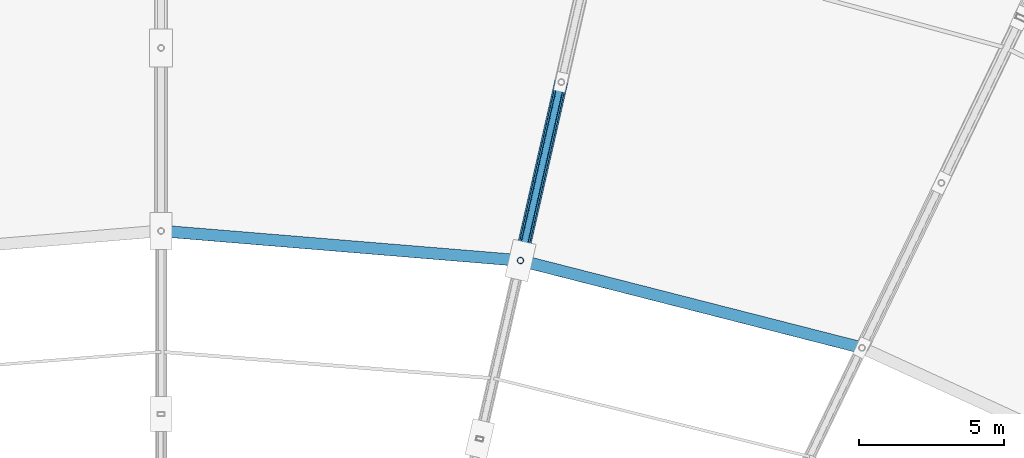
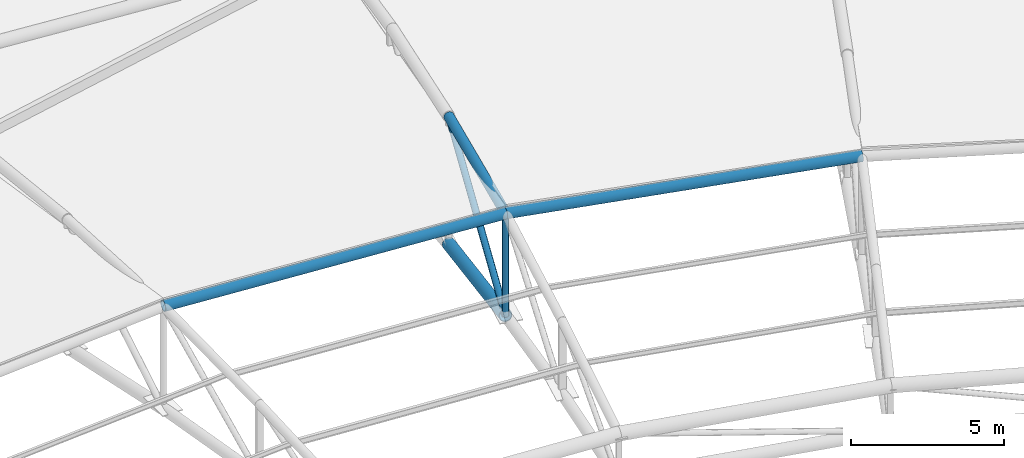
# One storey, part 55 of 108: 6 members.
"""IFC4 building model written with IfcOpenShell, lengths in metres."""

from ifc_helpers import new_model, si_unit, direction, frame, origin, origin_2d, place, context, subcontext, project, spatial, hollow_circle, extrude, material, material_profile, profile_set, type_object, element, save


model = new_model("IFC4")

# Units and contexts
model_context = context("Model", 3, precision=1e-05, world=origin(), true_north=direction((0.0, 1.0)))
body_context = subcontext(model_context, "Body", "Model", "MODEL_VIEW")
ifc_project = project(units=[si_unit("LENGTHUNIT", "METRE"), si_unit("AREAUNIT", "SQUARE_METRE"), si_unit("VOLUMEUNIT", "CUBIC_METRE"), si_unit("PLANEANGLEUNIT", "RADIAN"), si_unit("MASSUNIT", "GRAM", prefix="KILO")], contexts=[model_context])

# Site, building, storey
site_placement = place(None, origin())
site = spatial("IfcSite", under=ifc_project, at=site_placement, CompositionType="ELEMENT")
building_placement = place(site_placement, origin())
building = spatial("IfcBuilding", under=site, at=building_placement, Name="Zevraka Park Crest Stadium", CompositionType="ELEMENT")
storey_placement = place(building_placement, frame((0.0, 0.0, 29.39990234375)))
storey = spatial("IfcBuildingStorey", under=building, at=storey_placement, Name="RF", CompositionType="ELEMENT", Elevation=29.39990234375)

# Members
ifc_material_1 = material(Name="Steel S355", Category="steel")
ifc_material_profile_1 = material_profile(ifc_material_1, hollow_circle(Radius=0.228515625, WallThickness=0.02490234375, at=origin_2d()), Name="CHS 457.0x25")
ifc_profile_set_1 = profile_set([ifc_material_profile_1], Name="Steel S355")
member_type_1 = type_object("IfcMemberType", Name="TC02", PredefinedType="CHORD", material=ifc_profile_set_1)
member_1_placement = place(storey_placement, frame((125.77392578125, 137.72412109375, 3.9501953125), z_axis=(-0.217577220744, -0.953292880439, 0.209506174416), x_axis=(0.974929167571, -0.222515433667, 0.0)))
element("IfcMember", 1, at=member_1_placement, inside=storey, type_object=member_type_1, Name="Roof Truss Bottom Chord TC02 T07-5", PredefinedType="CHORD", context=body_context, shape_type="SweptSolid", body=[
    extrude(hollow_circle(Radius=0.228515625, WallThickness=0.02490234375, at=origin_2d()), origin(), (0.0, 0.0, 1.0), 6.443115234375),
])
ifc_material_2 = material(Name="Steel S355", Category="steel")
ifc_material_profile_2 = material_profile(ifc_material_2, hollow_circle(Radius=0.203125, WallThickness=0.02001953125, at=origin_2d()), Name="CHS 406.4x20")
ifc_profile_set_2 = profile_set([ifc_material_profile_2], Name="Steel S355")
member_type_2 = type_object("IfcMemberType", Name="TC03", PredefinedType="CHORD", material=ifc_profile_set_2)
member_2_placement = place(storey_placement, frame((136.1240234375, 128.5791015625, 9.400146484375), z_axis=(-0.968869652629, 0.247571396197, 0.0), x_axis=(-0.247571396197, -0.968869652629, 0.0)))
element("IfcMember", 2, at=member_2_placement, inside=storey, type_object=member_type_2, Name="Roof Canopy Arch Crown Ring Chord TC03 06", PredefinedType="CHORD", context=body_context, shape_type="SweptSolid", body=[
    extrude(hollow_circle(Radius=0.203125, WallThickness=0.02001953125, at=origin_2d()), origin(), (0.0, 0.0, 1.0), 12.129638671875),
])
member_3_placement = place(storey_placement, frame((124.3720703125, 131.58203125, 9.400146484375), z_axis=(-0.996631482992, 0.082010286607, 0.0), x_axis=(-0.082010286607, -0.996631482992, 0.0)))
element("IfcMember", 3, at=member_3_placement, inside=storey, type_object=member_type_2, Name="Roof Canopy Arch Crown Ring Chord TC03 07", PredefinedType="CHORD", context=body_context, shape_type="SweptSolid", body=[
    extrude(hollow_circle(Radius=0.203125, WallThickness=0.02001953125, at=origin_2d()), origin(), (0.0, 0.0, 1.0), 12.413818359375),
])
ifc_material_3 = material(Name="Steel S355", Category="steel")
ifc_material_profile_3 = material_profile(ifc_material_3, hollow_circle(Radius=0.177734375, WallThickness=0.01611328125, at=origin_2d()), Name="CHS 355.6x16")
ifc_profile_set_3 = profile_set([ifc_material_profile_3], Name="Steel S355")
member_type_3 = type_object("IfcMemberType", Name="TC05", PredefinedType="CHORD", material=ifc_profile_set_3)
member_4_placement = place(storey_placement, frame((125.77392578125, 137.72412109375, 9.050048828125), z_axis=(-0.222172651746, -0.973427302791, 0.055485124104), x_axis=(0.974929167571, -0.222515433667, 0.0)))
element("IfcMember", 4, at=member_4_placement, inside=storey, type_object=member_type_3, Name="Roof Truss Top Chord TC05 T07-5", PredefinedType="CHORD", context=body_context, shape_type="SweptSolid", body=[
    extrude(hollow_circle(Radius=0.177734375, WallThickness=0.01611328125, at=origin_2d()), origin(), (0.0, 0.0, 1.0), 6.309814453125),
])
ifc_material_4 = material(Name="Steel S355", Category="steel")
ifc_material_profile_4 = material_profile(ifc_material_4, hollow_circle(Radius=0.109619140625, WallThickness=0.010009765625, at=origin_2d()), Name="CHS 219.1x10")
ifc_profile_set_4 = profile_set([ifc_material_profile_4], Name="Steel S355")
member_type_4 = type_object("IfcMemberType", Name="WB02", PredefinedType="BRACE", material=ifc_profile_set_4)
member_5_placement = place(storey_placement, frame((124.3720703125, 131.58203125, 5.300048828125), z_axis=(0.0, 0.0, 1.0), x_axis=(0.222569549971, 0.974916814618, 0.0)))
element("IfcMember", 5, at=member_5_placement, inside=storey, type_object=member_type_4, Name="Roof Truss Web Post WB02 T07-5", PredefinedType="BRACE", context=body_context, shape_type="SweptSolid", body=[
    extrude(hollow_circle(Radius=0.109619140625, WallThickness=0.010009765625, at=origin_2d()), origin(), (0.0, 0.0, 1.0), 4.10009765625),
])
ifc_material_5 = material(Name="Steel S355", Category="steel")
ifc_material_profile_5 = material_profile(ifc_material_5, hollow_circle(Radius=0.122314453125, WallThickness=0.012451171875, at=origin_2d()), Name="CHS 244.5x12.5")
ifc_profile_set_5 = profile_set([ifc_material_profile_5], Name="Steel S355")
member_type_5 = type_object("IfcMemberType", Name="WB07", PredefinedType="BRACE", material=ifc_profile_set_5)
member_6_placement = place(storey_placement, frame((124.3720703125, 131.58203125, 5.300048828125), z_axis=(0.19120622273, 0.837750984228, 0.51148164074), x_axis=(-0.974929167571, 0.222515433667, 0.0)))
element("IfcMember", 6, at=member_6_placement, inside=storey, type_object=member_type_5, Name="Roof Truss Web Diagonal WB07 T07-5", PredefinedType="BRACE", context=body_context, shape_type="SweptSolid", body=[
    extrude(hollow_circle(Radius=0.122314453125, WallThickness=0.012451171875, at=origin_2d()), origin(), (0.0, 0.0, 1.0), 7.33154296875),
])

save(model, "model.ifc")
